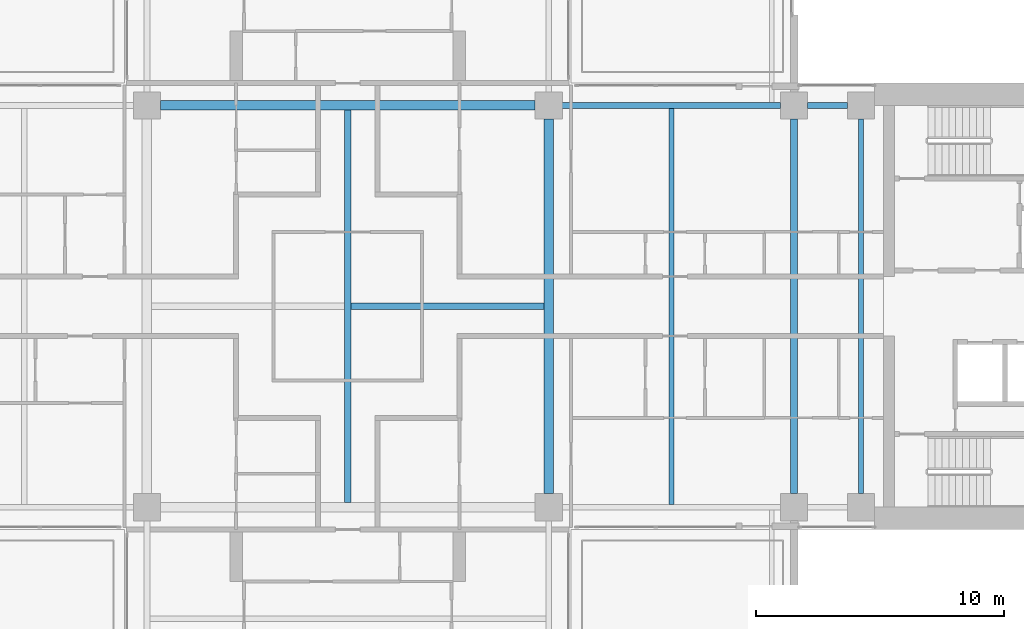
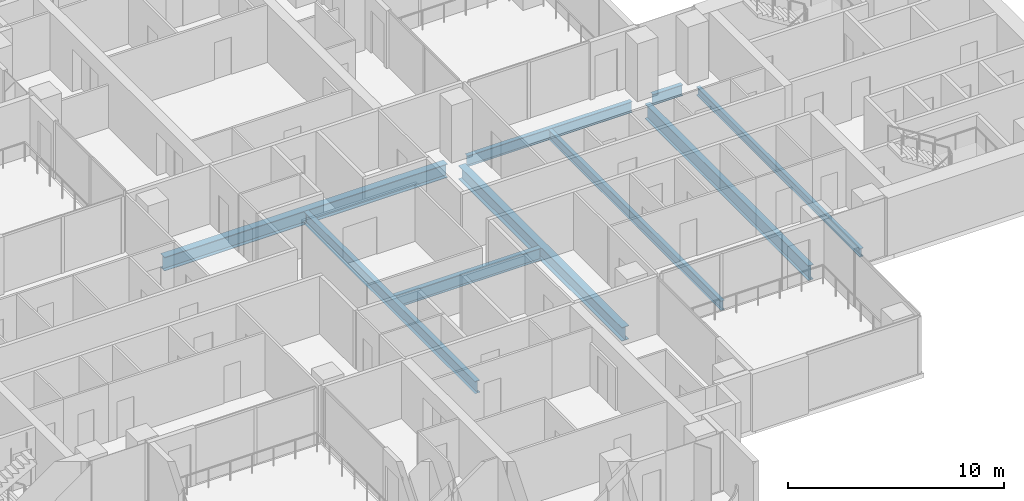
# One storey, part 4 of 18: 9 beams.
"""IFC4 building model written with IfcOpenShell, lengths in metres."""

from ifc_helpers import new_model, si_unit, direction, frame, origin, origin_2d, place, context, subcontext, project, spatial, i_section, extrude, material, material_profile, profile_set, type_object, element, save


model = new_model("IFC4")

# Units and contexts
model_context = context("Model", 3, precision=1e-05, world=origin(), true_north=direction((0.0, 1.0)))
body_context = subcontext(model_context, "Body", "Model", "MODEL_VIEW")
ifc_project = project(units=[si_unit("LENGTHUNIT", "METRE"), si_unit("AREAUNIT", "SQUARE_METRE"), si_unit("VOLUMEUNIT", "CUBIC_METRE"), si_unit("PLANEANGLEUNIT", "RADIAN"), si_unit("MASSUNIT", "GRAM", prefix="KILO")], contexts=[model_context])

# Site, building, storey
site_placement = place(None, origin())
site = spatial("IfcSite", under=ifc_project, at=site_placement, CompositionType="ELEMENT")
building_placement = place(site_placement, origin())
building = spatial("IfcBuilding", under=site, at=building_placement, Name="Perihelion Cross Residences", CompositionType="ELEMENT")
storey_placement = place(building_placement, frame((0.0, 0.0, 133.89990234375)))
storey = spatial("IfcBuildingStorey", under=building, at=storey_placement, Name="L32", CompositionType="ELEMENT", Elevation=133.89990234375)

# Beams
ifc_material_1 = material(Name="Steel S355", Category="steel")
ifc_material_profile_1 = material_profile(ifc_material_1, i_section(OverallWidth=0.194091796875, OverallDepth=0.469970703125, WebThickness=0.0126953125, FlangeThickness=0.0205078125, at=origin_2d()), Name="W460x106")
ifc_profile_set_1 = profile_set([ifc_material_profile_1], Name="Steel S355")
beam_type_1 = type_object("IfcBeamType", Name="Core edge beam W460x106", PredefinedType="BEAM", material=ifc_profile_set_1)
beam_1_placement = place(storey_placement, frame((20.699951171875, -7.550048828125, -0.48486328125), z_axis=(0.0, 1.0, 0.0), x_axis=(-1.0, 0.0, 0.0)))
element("IfcBeam", 1, at=beam_1_placement, inside=storey, type_object=beam_type_1, Name="Core edge beam TB5 L32 no. 2", PredefinedType="BEAM", context=body_context, shape_type="SweptSolid", body=[
    extrude(i_section(OverallWidth=0.194091796875, OverallDepth=0.469970703125, WebThickness=0.0126953125, FlangeThickness=0.0205078125, at=origin_2d()), origin(), (0.0, 0.0, 1.0), 15.10009765625),
])
ifc_material_2 = material(Name="Steel S355", Category="steel")
ifc_material_profile_2 = material_profile(ifc_material_2, i_section(OverallWidth=0.22900390625, OverallDepth=0.612060546875, WebThickness=0.011962890625, FlangeThickness=0.01953125, at=origin_2d()), Name="W610x125")
ifc_profile_set_2 = profile_set([ifc_material_profile_2], Name="Steel S355")
beam_type_2 = type_object("IfcBeamType", Name="Edge beam W610x125", PredefinedType="SPANDREL", material=ifc_profile_set_2)
beam_2_placement = place(storey_placement, frame((20.14990234375, 8.10009765625, -0.555908203125), z_axis=(-1.0, 0.0, 0.0), x_axis=(0.0, -1.0, 0.0)))
element("IfcBeam", 2, at=beam_2_placement, inside=storey, type_object=beam_type_2, Name="Edge beam SB3 L32 no. 13", PredefinedType="SPANDREL", context=body_context, shape_type="SweptSolid", body=[
    extrude(i_section(OverallWidth=0.22900390625, OverallDepth=0.612060546875, WebThickness=0.011962890625, FlangeThickness=0.01953125, at=origin_2d()), origin(), (0.0, 0.0, 1.0), 1.599853515625),
])
beam_3_placement = place(storey_placement, frame((17.449951171875, 8.10009765625, -0.555908203125), z_axis=(-1.0, 0.0, 0.0), x_axis=(0.0, -1.0, 0.0)))
element("IfcBeam", 3, at=beam_3_placement, inside=storey, type_object=beam_type_2, Name="Edge beam SB3 L32 no. 12", PredefinedType="SPANDREL", context=body_context, shape_type="SweptSolid", body=[
    extrude(i_section(OverallWidth=0.22900390625, OverallDepth=0.612060546875, WebThickness=0.011962890625, FlangeThickness=0.01953125, at=origin_2d()), origin(), (0.0, 0.0, 1.0), 8.800048828125),
])
ifc_material_3 = material(Name="Steel S355", Category="steel")
ifc_material_profile_3 = material_profile(ifc_material_3, i_section(OverallWidth=0.2919921875, OverallDepth=0.8359375, WebThickness=0.013916015625, FlangeThickness=0.018798828125, at=origin_2d()), Name="W840x176")
ifc_profile_set_3 = profile_set([ifc_material_profile_3], Name="Steel S355")
beam_type_3 = type_object("IfcBeamType", Name="Floor girder W840x176", PredefinedType="BEAM", material=ifc_profile_set_3)
beam_4_placement = place(storey_placement, frame((18.0, -7.550048828125, -0.66796875), z_axis=(0.0, 1.0, 0.0), x_axis=(-1.0, 0.0, 0.0)))
element("IfcBeam", 4, at=beam_4_placement, inside=storey, type_object=beam_type_3, Name="Girder G3 L32 no. 2", PredefinedType="BEAM", context=body_context, shape_type="SweptSolid", body=[
    extrude(i_section(OverallWidth=0.2919921875, OverallDepth=0.8359375, WebThickness=0.013916015625, FlangeThickness=0.018798828125, at=origin_2d()), origin(), (0.0, 0.0, 1.0), 15.10009765625),
])
ifc_material_4 = material(Name="Steel S355", Category="steel")
ifc_material_profile_4 = material_profile(ifc_material_4, i_section(OverallWidth=0.208984375, OverallDepth=0.532958984375, WebThickness=0.01025390625, FlangeThickness=0.015625, at=origin_2d()), Name="W530x92")
ifc_profile_set_4 = profile_set([ifc_material_profile_4], Name="Steel S355")
beam_type_4 = type_object("IfcBeamType", Name="Floor joist W530x92", PredefinedType="JOIST", material=ifc_profile_set_4)
beam_5_placement = place(storey_placement, frame((13.050048828125, -7.985595703125, -0.516357421875), z_axis=(0.0, 1.0, 0.0), x_axis=(-1.0, 0.0, 0.0)))
element("IfcBeam", 5, at=beam_5_placement, inside=storey, type_object=beam_type_4, Name="Joist J4 L32 no. 2", PredefinedType="JOIST", context=body_context, shape_type="SweptSolid", body=[
    extrude(i_section(OverallWidth=0.208984375, OverallDepth=0.532958984375, WebThickness=0.01025390625, FlangeThickness=0.015625, at=origin_2d()), origin(), (0.0, 0.0, 1.0), 15.97119140625),
])
ifc_material_5 = material(Name="Steel S355", Category="steel")
ifc_material_profile_5 = material_profile(ifc_material_5, i_section(OverallWidth=0.257080078125, OverallDepth=0.693115234375, WebThickness=0.014404296875, FlangeThickness=0.023681640625, at=origin_2d()), Name="W690x170")
ifc_profile_set_5 = profile_set([ifc_material_profile_5], Name="Steel S355")
beam_type_5 = type_object("IfcBeamType", Name="Hub cross beam W690x170", PredefinedType="BEAM", material=ifc_profile_set_5)
beam_6_placement = place(storey_placement, frame((0.0, -7.909423828125, -0.596435546875), z_axis=(0.0, 1.0, 0.0), x_axis=(-1.0, 0.0, 0.0)))
element("IfcBeam", 6, at=beam_6_placement, inside=storey, type_object=beam_type_5, Name="Hub cross beam XB3 L32 no. 1", PredefinedType="BEAM", context=body_context, shape_type="SweptSolid", body=[
    extrude(i_section(OverallWidth=0.257080078125, OverallDepth=0.693115234375, WebThickness=0.014404296875, FlangeThickness=0.023681640625, at=origin_2d()), origin(), (0.0, 0.0, 1.0), 15.81884765625),
])
beam_7_placement = place(storey_placement, frame((0.12841796875, 0.0, -0.596435546875), z_axis=(1.0, 0.0, 0.0), x_axis=(0.0, 1.0, 0.0)))
element("IfcBeam", 7, at=beam_7_placement, inside=storey, type_object=beam_type_5, Name="Hub cross beam XB3 L32 2 no. 1", PredefinedType="BEAM", context=body_context, shape_type="SweptSolid", body=[
    extrude(i_section(OverallWidth=0.257080078125, OverallDepth=0.693115234375, WebThickness=0.014404296875, FlangeThickness=0.023681640625, at=origin_2d()), origin(), (0.0, 0.0, 1.0), 7.781005859375),
])
ifc_material_6 = material(Name="Steel S355", Category="steel")
ifc_material_profile_6 = material_profile(ifc_material_6, i_section(OverallWidth=0.381103515625, OverallDepth=0.77197265625, WebThickness=0.0166015625, FlangeThickness=0.027099609375, at=origin_2d()), Name="W760x257")
ifc_profile_set_6 = profile_set([ifc_material_profile_6], Name="Steel S355")
beam_type_6 = type_object("IfcBeamType", Name="Hub ring girder W760x257", PredefinedType="BEAM", material=ifc_profile_set_6)
for number, where, z_axis, x_axis, name in (
    (8, (8.10009765625, -7.550048828125, -0.635986328125), (0.0, 1.0, 0.0), (-1.0, 0.0, 0.0), "Hub ring girder RG3 L32 no. 3"),
    (9, (7.550048828125, 8.10009765625, -0.635986328125), (-1.0, 0.0, 0.0), (0.0, -1.0, 0.0), "Hub ring girder RG3 L32 no. 4"),
):
    element("IfcBeam", number, at=place(storey_placement, frame(where, z_axis=z_axis, x_axis=x_axis)), inside=storey, type_object=beam_type_6, Name=name, PredefinedType="BEAM", context=body_context, shape_type="SweptSolid", body=[
        extrude(i_section(OverallWidth=0.381103515625, OverallDepth=0.77197265625, WebThickness=0.0166015625, FlangeThickness=0.027099609375, at=origin_2d()), origin(), (0.0, 0.0, 1.0), 15.10009765625),
    ])

save(model, "model.ifc")
